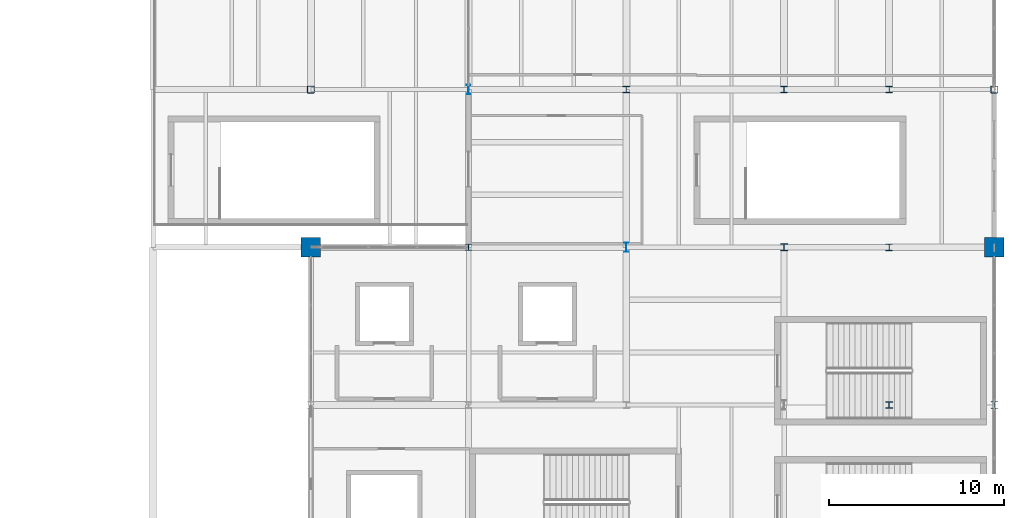
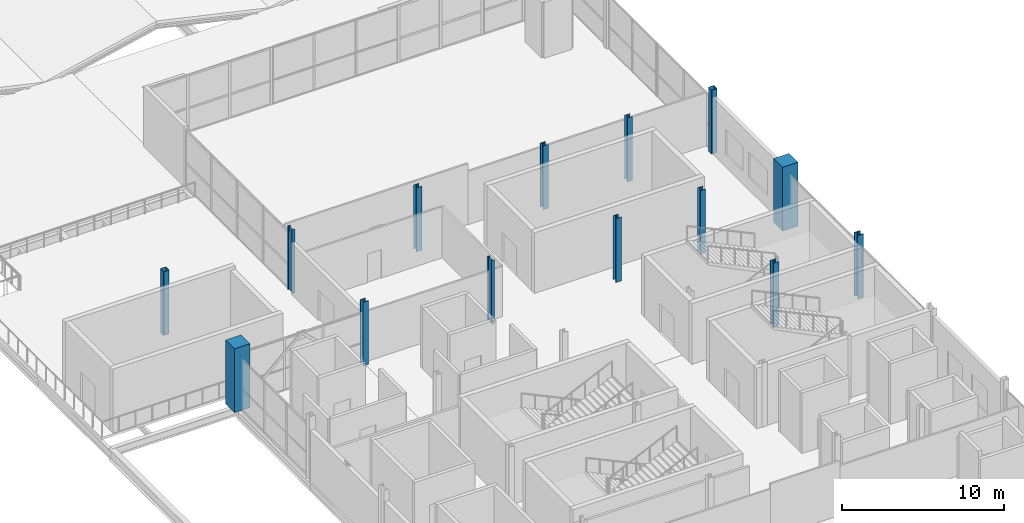
# One storey, part 5 of 50: 14 columns.
"""IFC4 building model written with IfcOpenShell, lengths in metres."""

import ifcopenshell
import ifcopenshell.guid

model = None  # the IFC model being written
_history = None  # IfcOwnerHistory: only IFC2X3 demands one
_inside = {}  # id of a spatial element -> (the spatial element, [elements in it])
_under = {}  # id of a project, library or spatial element -> (it, [spatial elements below it])
_declared = {}  # id of a project -> (the project, [libraries it declares])
_typed = {}  # id of a type object -> (the type object, [elements of that type])
_made_of = {}  # id of a material, layer set ... -> (it, [elements and type objects made of it])


def new_model(schema):
    """Start an empty IFC model of exactly this schema.

    Asked for "IFC4X3", IfcOpenShell would pick the latest addendum, in which some entities
    have other attributes; the version numbers below select the first issue.
    IFC2X3 requires an IfcOwnerHistory on every rooted entity: one is made here for all.
    """
    global model, _history
    if schema == "IFC4X3":
        model = ifcopenshell.file(schema_version=(4, 3, 0, 0))
    else:
        model = ifcopenshell.file(schema=schema)
    _inside.clear()
    _under.clear()
    _declared.clear()
    _typed.clear()
    _made_of.clear()
    _history = None
    if model.schema == "IFC2X3":
        org = make("IfcOrganization", Name="unknown")
        user = make(
            "IfcPersonAndOrganization",
            ThePerson=make("IfcPerson", FamilyName="unknown"),
            TheOrganization=org,
        )
        app = make(
            "IfcApplication",
            ApplicationDeveloper=org,
            Version="unknown",
            ApplicationFullName="unknown",
            ApplicationIdentifier="unknown",
        )
        _history = make(
            "IfcOwnerHistory",
            OwningUser=user,
            OwningApplication=app,
            ChangeAction="ADDED",
            CreationDate=0,
        )
    return model


def make(cls, **values):
    """One entity of the class cls with the attributes given. An attribute that is None is left unset."""
    return model.create_entity(
        cls, **{name: value for name, value in values.items() if value is not None}
    )


def rooted(cls, **values):
    """An entity with a GlobalId (a new one), such as an element, a storey or a relation."""
    return make(cls, GlobalId=ifcopenshell.guid.new(), OwnerHistory=_history, **values)


def si_unit(unit_type, name, prefix=None):
    """IfcSIUnit, for example si_unit("LENGTHUNIT", "METRE", prefix="MILLI")."""
    return make("IfcSIUnit", UnitType=unit_type, Prefix=prefix, Name=name)


def assignment(units):
    """IfcUnitAssignment: the units of a project."""
    return None if units is None else make("IfcUnitAssignment", Units=units)


def point(xyz):
    """IfcCartesianPoint."""
    return None if xyz is None else make("IfcCartesianPoint", Coordinates=xyz)


def direction(xyz):
    """IfcDirection."""
    return None if xyz is None else make("IfcDirection", DirectionRatios=xyz)


def frame(location, z_axis=None, x_axis=None):
    """IfcAxis2Placement3D, a coordinate frame: its origin and axes. An axis left out is left unset."""
    return make(
        "IfcAxis2Placement3D",
        Location=point(location),
        Axis=direction(z_axis),
        RefDirection=direction(x_axis),
    )


def frame_2d(location, x_axis=None):
    """IfcAxis2Placement2D, a coordinate frame in the plane: its origin and x axis."""
    return make(
        "IfcAxis2Placement2D", Location=point(location), RefDirection=direction(x_axis)
    )


def origin():
    """The frame at (0, 0, 0) with its axes left unset."""
    return frame((0.0, 0.0, 0.0))


def origin_2d():
    """The frame at (0, 0) in the plane with its x axis left unset."""
    return frame_2d((0.0, 0.0))


def place(relative_to, where):
    """IfcLocalPlacement: puts the frame where relative to a parent placement (None: the world)."""
    return make(
        "IfcLocalPlacement", PlacementRelTo=relative_to, RelativePlacement=where
    )


def context(
    kind, dimensions, precision=None, world=None, true_north=None, identifier=None
):
    """IfcGeometricRepresentationContext, for example the 3D "Model" context."""
    return make(
        "IfcGeometricRepresentationContext",
        ContextIdentifier=identifier,
        ContextType=kind,
        CoordinateSpaceDimension=dimensions,
        Precision=precision,
        WorldCoordinateSystem=world,
        TrueNorth=true_north,
    )


def subcontext(parent, identifier, kind, view, scale=None):
    """IfcGeometricRepresentationSubContext, for example "Body" below "Model"."""
    return make(
        "IfcGeometricRepresentationSubContext",
        ContextIdentifier=identifier,
        ContextType=kind,
        ParentContext=parent,
        TargetScale=scale,
        TargetView=view,
    )


def project(units=None, contexts=None):
    """IfcProject with its units and contexts."""
    return rooted(
        "IfcProject",
        Name="project",
        RepresentationContexts=contexts,
        UnitsInContext=assignment(units),
    )


def spatial(cls, under=None, at=None, **own):
    """A site, building, storey or space (cls), placed at a placement, below another one or the project."""
    s = rooted(cls, ObjectPlacement=at, **own)
    if under is not None:
        _under.setdefault(under.id(), (under, []))[1].append(s)
    return s


def profile(cls, at=None, kind="AREA", **sizes):
    """A parametric profile (cls). Its sizes go by their IFC names, for example OverallWidth=200.0."""
    return make(cls, ProfileType=kind, Position=at, **sizes)


def rectangle(**sizes):
    """IfcRectangleProfileDef."""
    return profile("IfcRectangleProfileDef", **sizes)


def hollow_rectangle(**sizes):
    """IfcRectangleHollowProfileDef."""
    return profile("IfcRectangleHollowProfileDef", **sizes)


def i_section(**sizes):
    """IfcIShapeProfileDef."""
    return profile("IfcIShapeProfileDef", **sizes)


def extrude(swept, where, along, depth):
    """IfcExtrudedAreaSolid: the profile swept, set in the frame where, extruded along a direction by depth."""
    return make(
        "IfcExtrudedAreaSolid",
        SweptArea=swept,
        Position=where,
        ExtrudedDirection=direction(along),
        Depth=depth,
    )


def shape(context_of_items, identifier, shape_type, items):
    """IfcShapeRepresentation: the items that make up one representation, for example the "Body"."""
    return make(
        "IfcShapeRepresentation",
        ContextOfItems=context_of_items,
        RepresentationIdentifier=identifier,
        RepresentationType=shape_type,
        Items=items,
    )


def material(Name=None, Category=None):
    """IfcMaterial."""
    return make("IfcMaterial", Name=Name, Category=Category)


def material_profile(
    of_material, cross_section, Name=None, Category=None, Priority=None
):
    """IfcMaterialProfile: a cross section and its material."""
    return make(
        "IfcMaterialProfile",
        Name=Name,
        Material=of_material,
        Profile=cross_section,
        Priority=Priority,
        Category=Category,
    )


def profile_set(profiles, Name=None, composite=None):
    """IfcMaterialProfileSet."""
    return make(
        "IfcMaterialProfileSet",
        Name=Name,
        MaterialProfiles=profiles,
        CompositeProfile=composite,
    )


def made_of(thing, what):
    """Note that an element or type object is made of a material, layer set ...; save() writes the relation."""
    if what is not None:
        _made_of.setdefault(what.id(), (what, []))[1].append(thing)
    return thing


def type_object(cls, material=None, **own):
    """A type object (cls), such as IfcWallType, which elements share."""
    return made_of(rooted(cls, **own), material)


def element(
    cls,
    number,
    at=None,
    inside=None,
    cuts=None,
    type_object=None,
    material=None,
    context=None,
    identifier="Body",
    shape_type=None,
    held_by="IfcProductDefinitionShape",
    body=None,
    shapes=None,
    **own,
):
    """One element of the class cls, such as IfcWall. Its Tag is "e" and its number.

    at: its placement. inside: the storey or other place that contains it. cuts: it is an
    opening in that element (IfcRelVoidsElement). A single representation is given by context,
    identifier, shape_type and body (its items); several are given by shapes. held_by: the class
    of the entity that holds the representations. save() writes the other relations.
    """
    e = rooted(cls, Tag="e%d" % number, ObjectPlacement=at, **own)
    if body is not None:
        shapes = [shape(context, identifier, shape_type, body)]
    if shapes is not None:
        e.Representation = make(held_by, Representations=shapes)
    if inside is not None:
        _inside.setdefault(inside.id(), (inside, []))[1].append(e)
    if cuts is not None:
        rooted(
            "IfcRelVoidsElement", RelatingBuildingElement=cuts, RelatedOpeningElement=e
        )
    if type_object is not None:
        _typed.setdefault(type_object.id(), (type_object, []))[1].append(e)
    return made_of(e, material)


def aggregate(whole, parts):
    """IfcRelAggregates: a whole, such as a stair, and the parts it consists of."""
    return rooted("IfcRelAggregates", RelatingObject=whole, RelatedObjects=parts)


def save(model, path):
    """Write the relations noted so far, then the file.

    IfcRelAggregates (storeys below a building ...), IfcRelContainedInSpatialStructure (elements
    in a storey), IfcRelDefinesByType, IfcRelAssociatesMaterial and IfcRelDeclares: one each for
    every whole, place, type object, material and project.
    """
    for whole, parts in _under.values():
        aggregate(whole, parts)
    for where, things in _inside.values():
        rooted(
            "IfcRelContainedInSpatialStructure",
            RelatedElements=things,
            RelatingStructure=where,
        )
    for kind, things in _typed.values():
        rooted("IfcRelDefinesByType", RelatedObjects=things, RelatingType=kind)
    for what, things in _made_of.values():
        rooted("IfcRelAssociatesMaterial", RelatedObjects=things, RelatingMaterial=what)
    for by, libraries in _declared.values():
        rooted("IfcRelDeclares", RelatingContext=by, RelatedDefinitions=libraries)
    model.write(path)


model = new_model("IFC4")

# Units and contexts
model_context = context("Model", 3, precision=1e-05, world=origin(), true_north=direction((0.0, 1.0)))
body_context = subcontext(model_context, "Body", "Model", "MODEL_VIEW")
ifc_project = project(units=[si_unit("LENGTHUNIT", "METRE"), si_unit("AREAUNIT", "SQUARE_METRE"), si_unit("VOLUMEUNIT", "CUBIC_METRE"), si_unit("PLANEANGLEUNIT", "RADIAN"), si_unit("MASSUNIT", "GRAM", prefix="KILO")], contexts=[model_context])

# Site, building, storey
site_placement = place(None, origin())
site = spatial("IfcSite", under=ifc_project, at=site_placement, CompositionType="ELEMENT")
building_placement = place(site_placement, origin())
building = spatial("IfcBuilding", under=site, at=building_placement, Name="Qamarlyn Nura Convention Centre", CompositionType="ELEMENT")
storey_placement = place(building_placement, frame((0.0, 0.0, 20.39990234375)))
storey = spatial("IfcBuildingStorey", under=building, at=storey_placement, Name="L04", CompositionType="ELEMENT", Elevation=20.39990234375)

# Columns
ifc_material_1 = material(Name="Steel ASTM A500 Grade C", Category="steel")
ifc_material_profile_1 = material_profile(ifc_material_1, hollow_rectangle(XDim=0.39990234375, YDim=0.39990234375, WallThickness=0.01611328125, InnerFilletRadius=0.01611328125, OuterFilletRadius=0.031982421875, at=origin_2d()), Name="HSS400X400X16")
ifc_profile_set_1 = profile_set([ifc_material_profile_1], Name="Steel ASTM A500 Grade C")
column_type_1 = type_object("IfcColumnType", Name="COL-HSS-1", PredefinedType="COLUMN", material=ifc_profile_set_1)
for number, where, z_axis, x_axis, name in (
    (1, (153.0, 90.0, 0.0), (0.0, 0.0, 1.0), (1.0, 0.0, 0.0), "L04 column 13/L"),
    (2, (192.0, 90.0, 0.0), (0.0, 0.0, 1.0), (1.0, 0.0, 0.0), "L04 column 18/L"),
):
    element("IfcColumn", number, at=place(storey_placement, frame(where, z_axis=z_axis, x_axis=x_axis)), inside=storey, type_object=column_type_1, Name=name, PredefinedType="COLUMN", context=body_context, shape_type="SweptSolid", body=[
        extrude(hollow_rectangle(XDim=0.39990234375, YDim=0.39990234375, WallThickness=0.01611328125, InnerFilletRadius=0.01611328125, OuterFilletRadius=0.031982421875, at=origin_2d()), origin(), (0.0, 0.0, 1.0), 4.800048828125),
    ])
ifc_material_2 = material(Name="Steel ASTM A992", Category="steel")
ifc_material_profile_2 = material_profile(ifc_material_2, i_section(OverallWidth=0.408935546875, OverallDepth=0.425048828125, WebThickness=0.030517578125, FlangeThickness=0.049072265625, FilletRadius=0.02001953125, at=origin_2d()), Name="W360X421")
ifc_profile_set_2 = profile_set([ifc_material_profile_2], Name="Steel ASTM A992")
column_type_2 = type_object("IfcColumnType", Name="COL-MEGA-1", PredefinedType="COLUMN", material=ifc_profile_set_2)
column_placement = place(storey_placement, frame((192.0, 72.0, 0.0), z_axis=(0.0, 0.0, 1.0), x_axis=(1.0, 0.0, 0.0)))
element("IfcColumn", 3, at=column_placement, inside=storey, type_object=column_type_2, Name="L04 column 18/J", PredefinedType="COLUMN", context=body_context, shape_type="SweptSolid", body=[
    extrude(i_section(OverallWidth=0.408935546875, OverallDepth=0.425048828125, WebThickness=0.030517578125, FlangeThickness=0.049072265625, FilletRadius=0.02001953125, at=origin_2d()), origin(), (0.0, 0.0, 1.0), 4.800048828125),
])
ifc_material_3 = material(Name="Concrete C50/60", Category="concrete")
ifc_material_profile_3 = material_profile(ifc_material_3, rectangle(XDim=1.10009765625, YDim=1.10009765625, at=origin_2d()), Name="RC 1100x1100")
ifc_profile_set_3 = profile_set([ifc_material_profile_3], Name="Concrete C50/60")
column_type_3 = type_object("IfcColumnType", Name="COL-MEGA-2", PredefinedType="COLUMN", material=ifc_profile_set_3)
for number, where, z_axis, x_axis, name in (
    (4, (153.0, 81.0, 0.0), (0.0, 0.0, 1.0), (1.0, 0.0, 0.0), "L04 column 13/K"),
    (5, (192.0, 81.0, 0.0), (0.0, 0.0, 1.0), (1.0, 0.0, 0.0), "L04 column 18/K"),
):
    element("IfcColumn", number, at=place(storey_placement, frame(where, z_axis=z_axis, x_axis=x_axis)), inside=storey, type_object=column_type_3, Name=name, PredefinedType="COLUMN", context=body_context, shape_type="SweptSolid", body=[
        extrude(rectangle(XDim=1.10009765625, YDim=1.10009765625, at=origin_2d()), origin(), (0.0, 0.0, 1.0), 4.800048828125),
    ])
ifc_material_profile_4 = material_profile(ifc_material_2, i_section(OverallWidth=0.39892578125, OverallDepth=0.39306640625, WebThickness=0.022705078125, FlangeThickness=0.03662109375, FilletRadius=0.01806640625, at=origin_2d()), Name="W360X287")
ifc_profile_set_4 = profile_set([ifc_material_profile_4], Name="Steel ASTM A992")
column_type_4 = type_object("IfcColumnType", Name="COL-WING-1", PredefinedType="COLUMN", material=ifc_profile_set_4)
for number, where, z_axis, x_axis, name in (
    (6, (171.0, 90.0, 0.0), (0.0, 0.0, 1.0), (1.0, 0.0, 0.0), "L04 column 15/L"),
    (7, (180.0, 81.0, 0.0), (0.0, 0.0, 1.0), (1.0, 0.0, 0.0), "L04 column 16/K"),
    (8, (186.0, 72.0, 0.0), (0.0, 0.0, 1.0), (1.0, 0.0, 0.0), "L04 column 17/J"),
):
    element("IfcColumn", number, at=place(storey_placement, frame(where, z_axis=z_axis, x_axis=x_axis)), inside=storey, type_object=column_type_4, Name=name, PredefinedType="COLUMN", context=body_context, shape_type="SweptSolid", body=[
        extrude(i_section(OverallWidth=0.39892578125, OverallDepth=0.39306640625, WebThickness=0.022705078125, FlangeThickness=0.03662109375, FilletRadius=0.01806640625, at=origin_2d()), origin(), (0.0, 0.0, 1.0), 4.800048828125),
    ])
ifc_material_profile_5 = material_profile(ifc_material_2, i_section(OverallWidth=0.3740234375, OverallDepth=0.3720703125, WebThickness=0.016357421875, FlangeThickness=0.026123046875, FilletRadius=0.01611328125, at=origin_2d()), Name="W360X196")
ifc_profile_set_5 = profile_set([ifc_material_profile_5], Name="Steel ASTM A992")
column_type_5 = type_object("IfcColumnType", Name="COL-WING-2", PredefinedType="COLUMN", material=ifc_profile_set_5)
for number, where, z_axis, x_axis, name in (
    (9, (180.0, 90.0, 0.0), (0.0, 0.0, 1.0), (1.0, 0.0, 0.0), "L04 column 16/L"),
    (10, (186.0, 81.0, 0.0), (0.0, 0.0, 1.0), (1.0, 0.0, 0.0), "L04 column 17/K"),
):
    element("IfcColumn", number, at=place(storey_placement, frame(where, z_axis=z_axis, x_axis=x_axis)), inside=storey, type_object=column_type_5, Name=name, PredefinedType="COLUMN", context=body_context, shape_type="SweptSolid", body=[
        extrude(i_section(OverallWidth=0.3740234375, OverallDepth=0.3720703125, WebThickness=0.016357421875, FlangeThickness=0.026123046875, FilletRadius=0.01611328125, at=origin_2d()), origin(), (0.0, 0.0, 1.0), 4.800048828125),
    ])
ifc_material_profile_6 = material_profile(ifc_material_2, i_section(OverallWidth=0.368896484375, OverallDepth=0.35595703125, WebThickness=0.01123046875, FlangeThickness=0.01806640625, FilletRadius=0.014892578125, at=origin_2d()), Name="W360X134")
ifc_profile_set_6 = profile_set([ifc_material_profile_6], Name="Steel ASTM A992")
column_type_6 = type_object("IfcColumnType", Name="COL-WING-3", PredefinedType="COLUMN", material=ifc_profile_set_6)
for number, where, z_axis, x_axis, name in (
    (11, (162.0, 81.0, 0.0), (0.0, 0.0, 1.0), (1.0, 0.0, 0.0), "L04 column 14/K"),
    (12, (186.0, 90.0, 0.0), (0.0, 0.0, 1.0), (1.0, 0.0, 0.0), "L04 column 17/L"),
):
    element("IfcColumn", number, at=place(storey_placement, frame(where, z_axis=z_axis, x_axis=x_axis)), inside=storey, type_object=column_type_6, Name=name, PredefinedType="COLUMN", context=body_context, shape_type="SweptSolid", body=[
        extrude(i_section(OverallWidth=0.368896484375, OverallDepth=0.35595703125, WebThickness=0.01123046875, FlangeThickness=0.01806640625, FilletRadius=0.014892578125, at=origin_2d()), origin(), (0.0, 0.0, 1.0), 4.800048828125),
    ])
ifc_material_profile_7 = material_profile(ifc_material_2, i_section(OverallWidth=0.2109375, OverallDepth=0.5390625, WebThickness=0.01171875, FlangeThickness=0.018798828125, FilletRadius=0.013916015625, at=origin_2d()), Name="W530X109")
ifc_profile_set_7 = profile_set([ifc_material_profile_7], Name="Steel ASTM A992")
column_type_7 = type_object("IfcColumnType", Name="COL-WING-7", PredefinedType="COLUMN", material=ifc_profile_set_7)
for number, where, z_axis, x_axis, name in (
    (13, (162.0, 90.0, 0.0), (0.0, 0.0, 1.0), (1.0, 0.0, 0.0), "L04 column 14/L"),
    (14, (171.0, 81.0, 0.0), (0.0, 0.0, 1.0), (1.0, 0.0, 0.0), "L04 column 15/K"),
):
    element("IfcColumn", number, at=place(storey_placement, frame(where, z_axis=z_axis, x_axis=x_axis)), inside=storey, type_object=column_type_7, Name=name, PredefinedType="COLUMN", context=body_context, shape_type="SweptSolid", body=[
        extrude(i_section(OverallWidth=0.2109375, OverallDepth=0.5390625, WebThickness=0.01171875, FlangeThickness=0.018798828125, FilletRadius=0.013916015625, at=origin_2d()), origin(), (0.0, 0.0, 1.0), 4.800048828125),
    ])

save(model, "model.ifc")
